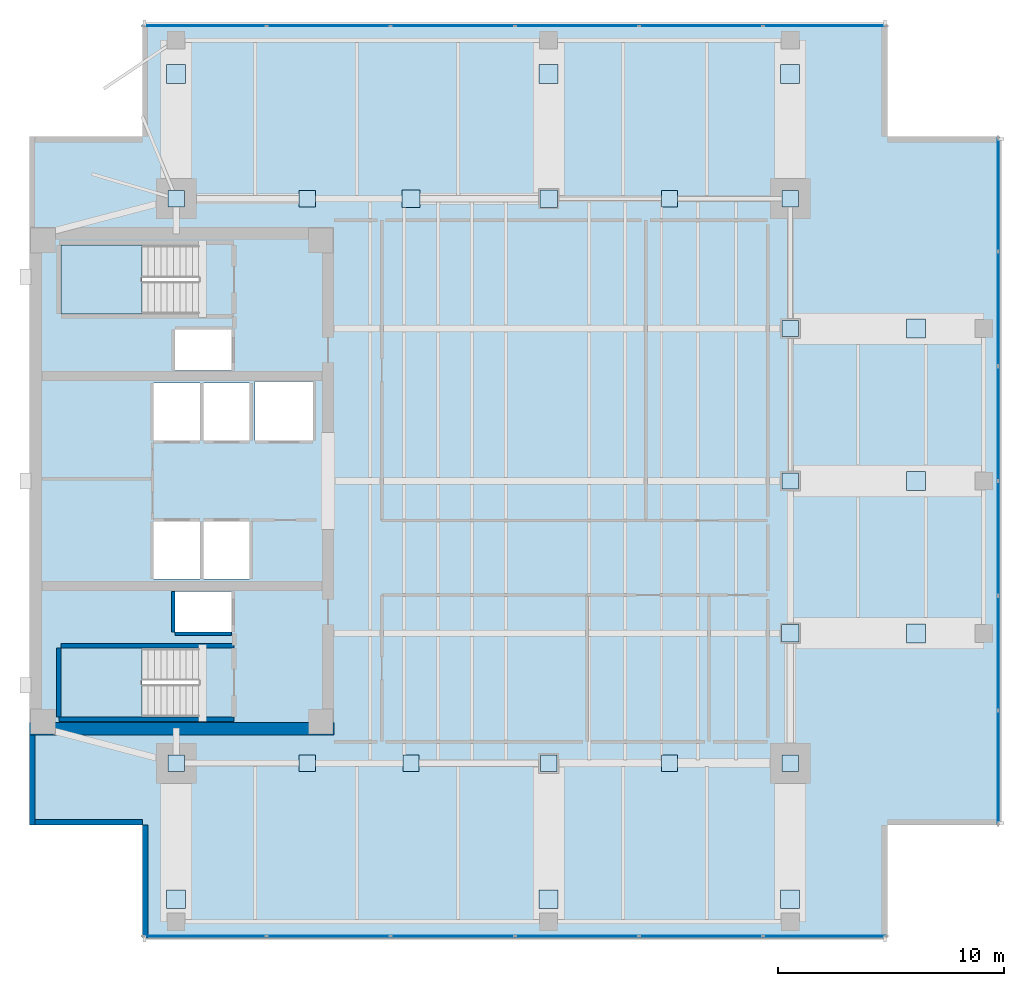
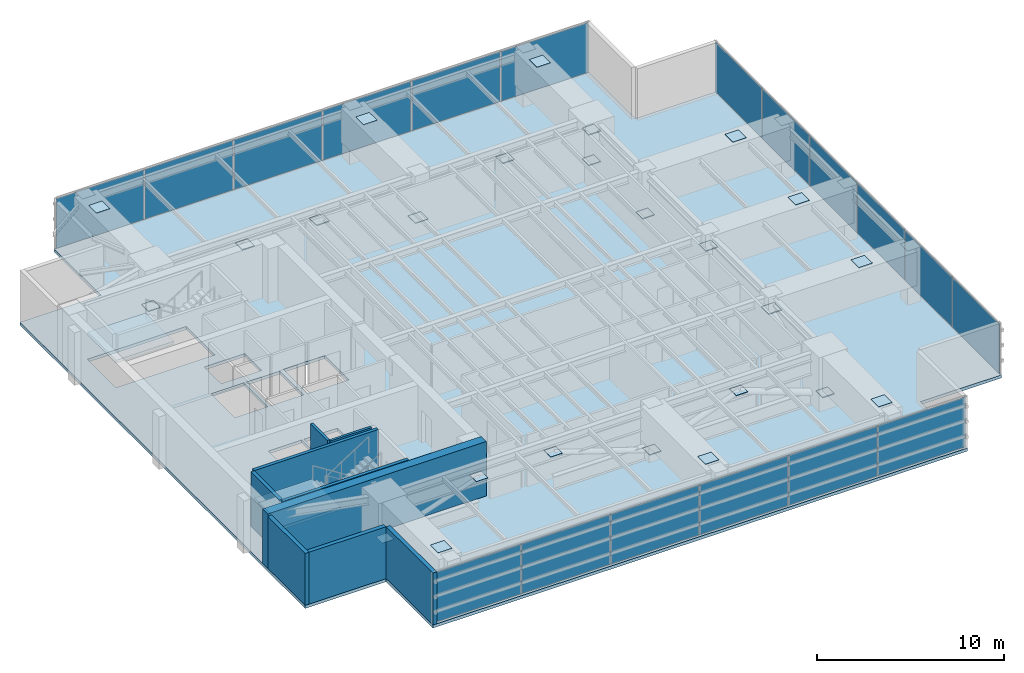
# One storey, part 7 of 13: 43 plates, 9 walls, 3 slabs, 5 elements without a shape of their own.
"""IFC4 building model written with IfcOpenShell, lengths in metres."""

from ifc_helpers import new_model, si_unit, direction, frame, frame_2d, origin, origin_2d, place, context, subcontext, project, spatial, polyline, rectangle, outline, extrude, material, layer, layer_set, type_object, element, aggregate, save


model = new_model("IFC4")

# Units and contexts
model_context = context("Model", 3, precision=1e-05, world=origin(), true_north=direction((0.0, 1.0)))
body_context = subcontext(model_context, "Body", "Model", "MODEL_VIEW")
ifc_project = project(units=[si_unit("LENGTHUNIT", "METRE"), si_unit("AREAUNIT", "SQUARE_METRE"), si_unit("VOLUMEUNIT", "CUBIC_METRE"), si_unit("PLANEANGLEUNIT", "RADIAN"), si_unit("MASSUNIT", "GRAM", prefix="KILO")], contexts=[model_context])

# Site, building, storey
site_placement = place(None, origin())
site = spatial("IfcSite", under=ifc_project, at=site_placement, CompositionType="ELEMENT")
building_placement = place(site_placement, origin())
building = spatial("IfcBuilding", under=site, at=building_placement, Name="Kinhvarn Gate Tower", CompositionType="ELEMENT")
storey_placement = place(building_placement, frame((0.0, 0.0, 241.300048828125)))
storey = spatial("IfcBuildingStorey", under=building, at=storey_placement, Name="L64", CompositionType="ELEMENT", Elevation=241.300048828125)

# Curtain wall, plates
ifc_material_1 = material(Name="Anodised aluminium AW-6063", Category="aluminium")
ifc_layer_1 = layer(ifc_material_1, 0.179931640625)
ifc_layer_set_1 = layer_set([ifc_layer_1], Name="Anodised aluminium AW-6063")
curtain_wall_type = type_object("IfcCurtainWallType", Name="CW-SYS-3", PredefinedType="NOTDEFINED", material=ifc_layer_set_1)
curtain_wall_1_placement = place(storey_placement, origin())
curtain_wall_1 = element("IfcCurtainWall", 1, at=curtain_wall_1_placement, inside=storey, type_object=curtain_wall_type, Name="Curtain Wall CW3 (L64)", PredefinedType="NOTDEFINED")
ifc_material_2 = material(Name="Fired architectural terracotta", Category="masonry")
ifc_layer_2 = layer(ifc_material_2, 0.0400390625)
ifc_layer_set_2 = layer_set([ifc_layer_2], Name="Fired architectural terracotta")
plate_type_1 = type_object("IfcPlateType", Name="CW-PNL-TER", PredefinedType="CURTAIN_PANEL", material=ifc_layer_set_2)
plate_1_placement = place(storey_placement, frame((12.266357421875, 5.090087890625, 0.070068359375), z_axis=(0.0, 0.0, 1.0), x_axis=(1.0, 0.0, 0.0)))
plate_1 = element("IfcPlate", 2, at=plate_1_placement, type_object=plate_type_1, Name="CW3 panel 1.1", PredefinedType="CURTAIN_PANEL", context=body_context, shape_type="SweptSolid", body=[
    extrude(rectangle(XDim=5.402587890625, YDim=0.0400390625, at=origin_2d()), origin(), (0.0, 0.0, 1.0), 3.25),
])
plate_2_placement = place(storey_placement, frame((17.75, 5.090087890625, 0.070068359375), z_axis=(0.0, 0.0, 1.0), x_axis=(1.0, 0.0, 0.0)))
plate_2 = element("IfcPlate", 3, at=plate_2_placement, type_object=plate_type_1, Name="CW3 panel 2.1", PredefinedType="CURTAIN_PANEL", context=body_context, shape_type="SweptSolid", body=[
    extrude(rectangle(XDim=5.43505859375, YDim=0.0400390625, at=origin_2d()), origin(), (0.0, 0.0, 1.0), 3.25),
])
plate_3_placement = place(storey_placement, frame((23.25, 5.090087890625, 0.070068359375), z_axis=(0.0, 0.0, 1.0), x_axis=(1.0, 0.0, 0.0)))
plate_3 = element("IfcPlate", 4, at=plate_3_placement, type_object=plate_type_1, Name="CW3 panel 3.1", PredefinedType="CURTAIN_PANEL", context=body_context, shape_type="SweptSolid", body=[
    extrude(rectangle(XDim=5.43505859375, YDim=0.0400390625, at=origin_2d()), origin(), (0.0, 0.0, 1.0), 3.25),
])
plate_4_placement = place(storey_placement, frame((28.75, 5.090087890625, 0.070068359375), z_axis=(0.0, 0.0, 1.0), x_axis=(1.0, 0.0, 0.0)))
plate_4 = element("IfcPlate", 5, at=plate_4_placement, type_object=plate_type_1, Name="CW3 panel 4.1", PredefinedType="CURTAIN_PANEL", context=body_context, shape_type="SweptSolid", body=[
    extrude(rectangle(XDim=5.43505859375, YDim=0.0400390625, at=origin_2d()), origin(), (0.0, 0.0, 1.0), 3.25),
])
plate_5_placement = place(storey_placement, frame((34.25, 5.090087890625, 0.070068359375), z_axis=(0.0, 0.0, 1.0), x_axis=(1.0, 0.0, 0.0)))
plate_5 = element("IfcPlate", 6, at=plate_5_placement, type_object=plate_type_1, Name="CW3 panel 5.1", PredefinedType="CURTAIN_PANEL", context=body_context, shape_type="SweptSolid", body=[
    extrude(rectangle(XDim=5.43505859375, YDim=0.0400390625, at=origin_2d()), origin(), (0.0, 0.0, 1.0), 3.25),
])
plate_6_placement = place(storey_placement, frame((39.733642578125, 5.090087890625, 0.070068359375), z_axis=(0.0, 0.0, 1.0), x_axis=(1.0, 0.0, 0.0)))
plate_6 = element("IfcPlate", 7, at=plate_6_placement, type_object=plate_type_1, Name="CW3 panel 6.1", PredefinedType="CURTAIN_PANEL", context=body_context, shape_type="SweptSolid", body=[
    extrude(rectangle(XDim=5.402587890625, YDim=0.0400390625, at=origin_2d()), origin(), (0.0, 0.0, 1.0), 3.25),
])
aggregate(curtain_wall_1, [plate_1, plate_2, plate_3, plate_4, plate_5, plate_6])

curtain_wall_2_placement = place(storey_placement, origin())
curtain_wall_2 = element("IfcCurtainWall", 8, at=curtain_wall_2_placement, inside=storey, type_object=curtain_wall_type, Name="Curtain Wall CW3 (L64)", PredefinedType="NOTDEFINED")
plate_7_placement = place(storey_placement, frame((39.733642578125, 45.409912109375, 0.070068359375), z_axis=(0.0, 0.0, 1.0), x_axis=(-1.0, 0.0, 0.0)))
plate_7 = element("IfcPlate", 9, at=plate_7_placement, type_object=plate_type_1, Name="CW3 panel 1.1", PredefinedType="CURTAIN_PANEL", context=body_context, shape_type="SweptSolid", body=[
    extrude(rectangle(XDim=5.402587890625, YDim=0.0400390625, at=origin_2d()), origin(), (0.0, 0.0, 1.0), 3.25),
])
plate_8_placement = place(storey_placement, frame((34.25, 45.409912109375, 0.070068359375), z_axis=(0.0, 0.0, 1.0), x_axis=(-1.0, 0.0, 0.0)))
plate_8 = element("IfcPlate", 10, at=plate_8_placement, type_object=plate_type_1, Name="CW3 panel 2.1", PredefinedType="CURTAIN_PANEL", context=body_context, shape_type="SweptSolid", body=[
    extrude(rectangle(XDim=5.43505859375, YDim=0.0400390625, at=origin_2d()), origin(), (0.0, 0.0, 1.0), 3.25),
])
plate_9_placement = place(storey_placement, frame((28.75, 45.409912109375, 0.070068359375), z_axis=(0.0, 0.0, 1.0), x_axis=(-1.0, 0.0, 0.0)))
plate_9 = element("IfcPlate", 11, at=plate_9_placement, type_object=plate_type_1, Name="CW3 panel 3.1", PredefinedType="CURTAIN_PANEL", context=body_context, shape_type="SweptSolid", body=[
    extrude(rectangle(XDim=5.43505859375, YDim=0.0400390625, at=origin_2d()), origin(), (0.0, 0.0, 1.0), 3.25),
])
plate_10_placement = place(storey_placement, frame((23.25, 45.409912109375, 0.070068359375), z_axis=(0.0, 0.0, 1.0), x_axis=(-1.0, 0.0, 0.0)))
plate_10 = element("IfcPlate", 12, at=plate_10_placement, type_object=plate_type_1, Name="CW3 panel 4.1", PredefinedType="CURTAIN_PANEL", context=body_context, shape_type="SweptSolid", body=[
    extrude(rectangle(XDim=5.43505859375, YDim=0.0400390625, at=origin_2d()), origin(), (0.0, 0.0, 1.0), 3.25),
])
plate_11_placement = place(storey_placement, frame((17.75, 45.409912109375, 0.070068359375), z_axis=(0.0, 0.0, 1.0), x_axis=(-1.0, 0.0, 0.0)))
plate_11 = element("IfcPlate", 13, at=plate_11_placement, type_object=plate_type_1, Name="CW3 panel 5.1", PredefinedType="CURTAIN_PANEL", context=body_context, shape_type="SweptSolid", body=[
    extrude(rectangle(XDim=5.43505859375, YDim=0.0400390625, at=origin_2d()), origin(), (0.0, 0.0, 1.0), 3.25),
])
plate_12_placement = place(storey_placement, frame((12.266357421875, 45.409912109375, 0.070068359375), z_axis=(0.0, 0.0, 1.0), x_axis=(-1.0, 0.0, 0.0)))
plate_12 = element("IfcPlate", 14, at=plate_12_placement, type_object=plate_type_1, Name="CW3 panel 6.1", PredefinedType="CURTAIN_PANEL", context=body_context, shape_type="SweptSolid", body=[
    extrude(rectangle(XDim=5.402587890625, YDim=0.0400390625, at=origin_2d()), origin(), (0.0, 0.0, 1.0), 3.25),
])
aggregate(curtain_wall_2, [plate_7, plate_8, plate_9, plate_10, plate_11, plate_12])

curtain_wall_3_placement = place(storey_placement, origin())
curtain_wall_3 = element("IfcCurtainWall", 15, at=curtain_wall_3_placement, inside=storey, type_object=curtain_wall_type, Name="Curtain Wall CW3 (L64)", PredefinedType="NOTDEFINED")
plate_13_placement = place(storey_placement, frame((47.409912109375, 12.557861328125, 0.070068359375), z_axis=(0.0, 0.0, 1.0), x_axis=(0.0, 1.0, 0.0)))
plate_13 = element("IfcPlate", 16, at=plate_13_placement, type_object=plate_type_1, Name="CW3 panel 1.1", PredefinedType="CURTAIN_PANEL", context=body_context, shape_type="SweptSolid", body=[
    extrude(rectangle(XDim=4.98583984375, YDim=0.0400390625, at=origin_2d()), origin(), (0.0, 0.0, 1.0), 3.25),
])
plate_14_placement = place(storey_placement, frame((47.409912109375, 17.625, 0.070068359375), z_axis=(0.0, 0.0, 1.0), x_axis=(0.0, 1.0, 0.0)))
plate_14 = element("IfcPlate", 17, at=plate_14_placement, type_object=plate_type_1, Name="CW3 panel 2.1", PredefinedType="CURTAIN_PANEL", context=body_context, shape_type="SweptSolid", body=[
    extrude(rectangle(XDim=5.018310546875, YDim=0.0400390625, at=origin_2d()), origin(), (0.0, 0.0, 1.0), 3.25),
])
plate_15_placement = place(storey_placement, frame((47.409912109375, 22.708251953125, 0.070068359375), z_axis=(0.0, 0.0, 1.0), x_axis=(0.0, 1.0, 0.0)))
plate_15 = element("IfcPlate", 18, at=plate_15_placement, type_object=plate_type_1, Name="CW3 panel 3.1", PredefinedType="CURTAIN_PANEL", context=body_context, shape_type="SweptSolid", body=[
    extrude(rectangle(XDim=5.018310546875, YDim=0.0400390625, at=origin_2d()), origin(), (0.0, 0.0, 1.0), 3.25),
])
plate_16_placement = place(storey_placement, frame((47.409912109375, 27.791748046875, 0.070068359375), z_axis=(0.0, 0.0, 1.0), x_axis=(0.0, 1.0, 0.0)))
plate_16 = element("IfcPlate", 19, at=plate_16_placement, type_object=plate_type_1, Name="CW3 panel 4.1", PredefinedType="CURTAIN_PANEL", context=body_context, shape_type="SweptSolid", body=[
    extrude(rectangle(XDim=5.018310546875, YDim=0.0400390625, at=origin_2d()), origin(), (0.0, 0.0, 1.0), 3.25),
])
plate_17_placement = place(storey_placement, frame((47.409912109375, 32.875, 0.070068359375), z_axis=(0.0, 0.0, 1.0), x_axis=(0.0, 1.0, 0.0)))
plate_17 = element("IfcPlate", 20, at=plate_17_placement, type_object=plate_type_1, Name="CW3 panel 5.1", PredefinedType="CURTAIN_PANEL", context=body_context, shape_type="SweptSolid", body=[
    extrude(rectangle(XDim=5.018310546875, YDim=0.0400390625, at=origin_2d()), origin(), (0.0, 0.0, 1.0), 3.25),
])
plate_18_placement = place(storey_placement, frame((47.409912109375, 37.942138671875, 0.070068359375), z_axis=(0.0, 0.0, 1.0), x_axis=(0.0, 1.0, 0.0)))
plate_18 = element("IfcPlate", 21, at=plate_18_placement, type_object=plate_type_1, Name="CW3 panel 6.1", PredefinedType="CURTAIN_PANEL", context=body_context, shape_type="SweptSolid", body=[
    extrude(rectangle(XDim=4.98583984375, YDim=0.0400390625, at=origin_2d()), origin(), (0.0, 0.0, 1.0), 3.25),
])
aggregate(curtain_wall_3, [plate_13, plate_14, plate_15, plate_16, plate_17, plate_18])

# Plates
ifc_material_3 = material(Name="Steel S355", Category="steel")
ifc_layer_3 = layer(ifc_material_3, 0.030029296875)
ifc_layer_set_3 = layer_set([ifc_layer_3], Name="Steel S355")
plate_type_2 = type_object("IfcPlateType", Name="PLT-NODE-KN2", PredefinedType="USERDEFINED", material=ifc_layer_set_3)
plate_19_placement = place(storey_placement, frame((0.0, 0.0, 2.425048828125)))
element("IfcPlate", 22, at=plate_19_placement, inside=storey, type_object=plate_type_2, Name="Structural Node Cap Plate KN2", ObjectType="GUSSET_PLATE", PredefinedType="USERDEFINED", context=body_context, shape_type="SweptSolid", body=[
    extrude(outline(polyline([(16.43994140625, 12.389892578125), (17.159912109375, 12.389892578125), (17.159912109375, 13.110107421875), (16.43994140625, 13.110107421875), (16.43994140625, 12.389892578125)])), origin(), (0.0, 0.0, 1.0), 0.02978515625),
])
plate_20_placement = place(storey_placement, frame((0.0, 0.0, 2.425048828125)))
element("IfcPlate", 23, at=plate_20_placement, inside=storey, type_object=plate_type_2, Name="Structural Node Cap Plate KN2", ObjectType="GUSSET_PLATE", PredefinedType="USERDEFINED", context=body_context, shape_type="SweptSolid", body=[
    extrude(outline(polyline([(21.0400390625, 12.389892578125), (21.760009765625, 12.389892578125), (21.760009765625, 13.110107421875), (21.0400390625, 13.110107421875), (21.0400390625, 12.389892578125)])), origin(), (0.0, 0.0, 1.0), 0.02978515625),
])
plate_21_placement = place(storey_placement, frame((0.0, 0.0, 0.43505859375)))
element("IfcPlate", 24, at=plate_21_placement, inside=storey, type_object=plate_type_2, Name="Structural Node Cap Plate KN2", ObjectType="GUSSET_PLATE", PredefinedType="USERDEFINED", context=body_context, shape_type="SweptSolid", body=[
    extrude(outline(polyline([(27.139892578125, 12.389892578125), (27.860107421875, 12.389892578125), (27.860107421875, 13.110107421875), (27.139892578125, 13.110107421875), (27.139892578125, 12.389892578125)])), origin(), (0.0, 0.0, 1.0), 0.02978515625),
])
plate_22_placement = place(storey_placement, frame((0.0, 0.0, 2.425048828125)))
element("IfcPlate", 25, at=plate_22_placement, inside=storey, type_object=plate_type_2, Name="Structural Node Cap Plate KN2", ObjectType="GUSSET_PLATE", PredefinedType="USERDEFINED", context=body_context, shape_type="SweptSolid", body=[
    extrude(outline(polyline([(32.489990234375, 12.389892578125), (33.2099609375, 12.389892578125), (33.2099609375, 13.110107421875), (32.489990234375, 13.110107421875), (32.489990234375, 12.389892578125)])), origin(), (0.0, 0.0, 1.0), 0.02978515625),
])
plate_23_placement = place(storey_placement, frame((0.0, 0.0, 2.425048828125)))
element("IfcPlate", 26, at=plate_23_placement, inside=storey, type_object=plate_type_2, Name="Structural Node Cap Plate KN2", ObjectType="GUSSET_PLATE", PredefinedType="USERDEFINED", context=body_context, shape_type="SweptSolid", body=[
    extrude(outline(polyline([(16.431396484375, 37.381591796875), (17.16845703125, 37.381591796875), (17.16845703125, 38.118408203125), (16.431396484375, 38.118408203125), (16.431396484375, 37.381591796875)])), origin(), (0.0, 0.0, 1.0), 0.02978515625),
])
plate_24_placement = place(storey_placement, frame((0.0, 0.0, 2.425048828125)))
element("IfcPlate", 27, at=plate_24_placement, inside=storey, type_object=plate_type_2, Name="Structural Node Cap Plate KN2", ObjectType="GUSSET_PLATE", PredefinedType="USERDEFINED", context=body_context, shape_type="SweptSolid", body=[
    extrude(outline(polyline([(21.006103515625, 37.35595703125), (21.7939453125, 37.35595703125), (21.7939453125, 38.14404296875), (21.006103515625, 38.14404296875), (21.006103515625, 37.35595703125)])), origin(), (0.0, 0.0, 1.0), 0.02978515625),
])
plate_25_placement = place(storey_placement, frame((0.0, 0.0, 0.43505859375)))
element("IfcPlate", 28, at=plate_25_placement, inside=storey, type_object=plate_type_2, Name="Structural Node Cap Plate KN2", ObjectType="GUSSET_PLATE", PredefinedType="USERDEFINED", context=body_context, shape_type="SweptSolid", body=[
    extrude(outline(polyline([(27.10595703125, 37.35595703125), (27.89404296875, 37.35595703125), (27.89404296875, 38.14404296875), (27.10595703125, 38.14404296875), (27.10595703125, 37.35595703125)])), origin(), (0.0, 0.0, 1.0), 0.02978515625),
])
plate_26_placement = place(storey_placement, frame((0.0, 0.0, 2.425048828125)))
element("IfcPlate", 29, at=plate_26_placement, inside=storey, type_object=plate_type_2, Name="Structural Node Cap Plate KN2", ObjectType="GUSSET_PLATE", PredefinedType="USERDEFINED", context=body_context, shape_type="SweptSolid", body=[
    extrude(outline(polyline([(32.489990234375, 37.389892578125), (33.2099609375, 37.389892578125), (33.2099609375, 38.110107421875), (32.489990234375, 38.110107421875), (32.489990234375, 37.389892578125)])), origin(), (0.0, 0.0, 1.0), 0.02978515625),
])
plate_27_placement = place(storey_placement, frame((0.0, 0.0, 2.425048828125)))
element("IfcPlate", 30, at=plate_27_placement, inside=storey, type_object=plate_type_2, Name="Structural Node Cap Plate KN2", ObjectType="GUSSET_PLATE", PredefinedType="USERDEFINED", context=body_context, shape_type="SweptSolid", body=[
    extrude(outline(polyline([(37.805908203125, 18.10595703125), (38.593994140625, 18.10595703125), (38.593994140625, 18.89404296875), (37.805908203125, 18.89404296875), (37.805908203125, 18.10595703125)])), origin(), (0.0, 0.0, 1.0), 0.02978515625),
])
plate_28_placement = place(storey_placement, frame((0.0, 0.0, 2.425048828125)))
element("IfcPlate", 31, at=plate_28_placement, inside=storey, type_object=plate_type_2, Name="Structural Node Cap Plate KN2", ObjectType="GUSSET_PLATE", PredefinedType="USERDEFINED", context=body_context, shape_type="SweptSolid", body=[
    extrude(outline(polyline([(37.840087890625, 24.889892578125), (38.56005859375, 24.889892578125), (38.56005859375, 25.610107421875), (37.840087890625, 25.610107421875), (37.840087890625, 24.889892578125)])), origin(), (0.0, 0.0, 1.0), 0.02978515625),
])
plate_29_placement = place(storey_placement, frame((0.0, 0.0, 0.43505859375)))
element("IfcPlate", 32, at=plate_29_placement, inside=storey, type_object=plate_type_2, Name="Structural Node Cap Plate KN2", ObjectType="GUSSET_PLATE", PredefinedType="USERDEFINED", context=body_context, shape_type="SweptSolid", body=[
    extrude(outline(polyline([(37.840087890625, 31.639892578125), (38.56005859375, 31.639892578125), (38.56005859375, 32.360107421875), (37.840087890625, 32.360107421875), (37.840087890625, 31.639892578125)])), origin(), (0.0, 0.0, 1.0), 0.02978515625),
])
plate_30_placement = place(storey_placement, frame((0.0, 0.0, 2.425048828125)))
element("IfcPlate", 33, at=plate_30_placement, inside=storey, type_object=plate_type_2, Name="Structural Node Cap Plate KN2", ObjectType="GUSSET_PLATE", PredefinedType="USERDEFINED", context=body_context, shape_type="SweptSolid", body=[
    extrude(outline(polyline([(37.840087890625, 37.389892578125), (38.56005859375, 37.389892578125), (38.56005859375, 38.110107421875), (37.840087890625, 38.110107421875), (37.840087890625, 37.389892578125)])), origin(), (0.0, 0.0, 1.0), 0.02978515625),
])
ifc_layer_4 = layer(ifc_material_3, 0.02392578125)
ifc_layer_set_4 = layer_set([ifc_layer_4], Name="Steel S355")
plate_type_3 = type_object("IfcPlateType", Name="PLT-NODE-ON3", PredefinedType="USERDEFINED", material=ifc_layer_set_4)
plate_31_placement = place(storey_placement, frame((0.0, 0.0, 0.43798828125)))
element("IfcPlate", 34, at=plate_31_placement, inside=storey, type_object=plate_type_3, Name="Structural Node Cap Plate ON3", ObjectType="GUSSET_PLATE", PredefinedType="USERDEFINED", context=body_context, shape_type="SweptSolid", body=[
    extrude(outline(polyline([(10.639892578125, 12.389892578125), (11.360107421875, 12.389892578125), (11.360107421875, 13.110107421875), (10.639892578125, 13.110107421875), (10.639892578125, 12.389892578125)])), origin(), (0.0, 0.0, 1.0), 0.02392578125),
])
plate_32_placement = place(storey_placement, frame((0.0, 0.0, 0.43798828125)))
element("IfcPlate", 35, at=plate_32_placement, inside=storey, type_object=plate_type_3, Name="Structural Node Cap Plate ON3", ObjectType="GUSSET_PLATE", PredefinedType="USERDEFINED", context=body_context, shape_type="SweptSolid", body=[
    extrude(outline(polyline([(10.631591796875, 37.381591796875), (11.368408203125, 37.381591796875), (11.368408203125, 38.118408203125), (10.631591796875, 38.118408203125), (10.631591796875, 37.381591796875)])), origin(), (0.0, 0.0, 1.0), 0.02392578125),
])
ifc_layer_5 = layer(ifc_material_3, 0.02587890625)
ifc_layer_set_5 = layer_set([ifc_layer_5], Name="Steel S355")
plate_type_4 = type_object("IfcPlateType", Name="PLT-NODE-ON4", PredefinedType="USERDEFINED", material=ifc_layer_set_5)
plate_33_placement = place(storey_placement, frame((0.0, 0.0, 0.43701171875)))
element("IfcPlate", 36, at=plate_33_placement, inside=storey, type_object=plate_type_4, Name="Structural Node Cap Plate ON4", ObjectType="GUSSET_PLATE", PredefinedType="USERDEFINED", context=body_context, shape_type="SweptSolid", body=[
    extrude(outline(polyline([(37.840087890625, 12.389892578125), (38.56005859375, 12.389892578125), (38.56005859375, 13.110107421875), (37.840087890625, 13.110107421875), (37.840087890625, 12.389892578125)])), origin(), (0.0, 0.0, 1.0), 0.02587890625),
])
plate_34_placement = place(storey_placement, frame((0.0, 0.0, 0.43701171875)))
element("IfcPlate", 37, at=plate_34_placement, inside=storey, type_object=plate_type_4, Name="Structural Node Cap Plate ON4", ObjectType="GUSSET_PLATE", PredefinedType="USERDEFINED", context=body_context, shape_type="SweptSolid", body=[
    extrude(outline(polyline([(37.840087890625, 37.389892578125), (38.56005859375, 37.389892578125), (38.56005859375, 38.110107421875), (37.840087890625, 38.110107421875), (37.840087890625, 37.389892578125)])), origin(), (0.0, 0.0, 1.0), 0.02587890625),
])
ifc_layer_6 = layer(ifc_material_3, 0.031982421875)
ifc_layer_set_6 = layer_set([ifc_layer_6], Name="Steel S355")
plate_type_5 = type_object("IfcPlateType", Name="PLT-NODE-TN3", PredefinedType="USERDEFINED", material=ifc_layer_set_6)
plate_35_placement = place(storey_placement, frame((0.0, 0.0, 3.52392578125)))
element("IfcPlate", 38, at=plate_35_placement, inside=storey, type_object=plate_type_5, Name="Structural Node Cap Plate TN3", ObjectType="GUSSET_PLATE", PredefinedType="USERDEFINED", context=body_context, shape_type="SweptSolid", body=[
    extrude(outline(polyline([(43.360107421875, 18.080078125), (44.199951171875, 18.080078125), (44.199951171875, 18.919921875), (43.360107421875, 18.919921875), (43.360107421875, 18.080078125)])), origin(), (0.0, 0.0, 1.0), 0.031982421875),
])
plate_36_placement = place(storey_placement, frame((0.0, 0.0, 3.52392578125)))
element("IfcPlate", 39, at=plate_36_placement, inside=storey, type_object=plate_type_5, Name="Structural Node Cap Plate TN3", ObjectType="GUSSET_PLATE", PredefinedType="USERDEFINED", context=body_context, shape_type="SweptSolid", body=[
    extrude(outline(polyline([(43.360107421875, 24.830078125), (44.199951171875, 24.830078125), (44.199951171875, 25.669921875), (43.360107421875, 25.669921875), (43.360107421875, 24.830078125)])), origin(), (0.0, 0.0, 1.0), 0.031982421875),
])
plate_37_placement = place(storey_placement, frame((0.0, 0.0, 3.52392578125)))
element("IfcPlate", 40, at=plate_37_placement, inside=storey, type_object=plate_type_5, Name="Structural Node Cap Plate TN3", ObjectType="GUSSET_PLATE", PredefinedType="USERDEFINED", context=body_context, shape_type="SweptSolid", body=[
    extrude(outline(polyline([(43.360107421875, 31.580078125), (44.199951171875, 31.580078125), (44.199951171875, 32.419921875), (43.360107421875, 32.419921875), (43.360107421875, 31.580078125)])), origin(), (0.0, 0.0, 1.0), 0.031982421875),
])
plate_38_placement = place(storey_placement, frame((0.0, 0.0, 3.52392578125)))
element("IfcPlate", 41, at=plate_38_placement, inside=storey, type_object=plate_type_5, Name="Structural Node Cap Plate TN3", ObjectType="GUSSET_PLATE", PredefinedType="USERDEFINED", context=body_context, shape_type="SweptSolid", body=[
    extrude(outline(polyline([(10.580078125, 6.300048828125), (11.419921875, 6.300048828125), (11.419921875, 7.139892578125), (10.580078125, 7.139892578125), (10.580078125, 6.300048828125)])), origin(), (0.0, 0.0, 1.0), 0.031982421875),
])
plate_39_placement = place(storey_placement, frame((0.0, 0.0, 3.52392578125)))
element("IfcPlate", 42, at=plate_39_placement, inside=storey, type_object=plate_type_5, Name="Structural Node Cap Plate TN3", ObjectType="GUSSET_PLATE", PredefinedType="USERDEFINED", context=body_context, shape_type="SweptSolid", body=[
    extrude(outline(polyline([(27.080078125, 6.300048828125), (27.919921875, 6.300048828125), (27.919921875, 7.139892578125), (27.080078125, 7.139892578125), (27.080078125, 6.300048828125)])), origin(), (0.0, 0.0, 1.0), 0.031982421875),
])
plate_40_placement = place(storey_placement, frame((0.0, 0.0, 3.52392578125)))
element("IfcPlate", 43, at=plate_40_placement, inside=storey, type_object=plate_type_5, Name="Structural Node Cap Plate TN3", ObjectType="GUSSET_PLATE", PredefinedType="USERDEFINED", context=body_context, shape_type="SweptSolid", body=[
    extrude(outline(polyline([(37.780029296875, 6.300048828125), (38.6201171875, 6.300048828125), (38.6201171875, 7.139892578125), (37.780029296875, 7.139892578125), (37.780029296875, 6.300048828125)])), origin(), (0.0, 0.0, 1.0), 0.031982421875),
])
plate_41_placement = place(storey_placement, frame((0.0, 0.0, 3.52392578125)))
element("IfcPlate", 44, at=plate_41_placement, inside=storey, type_object=plate_type_5, Name="Structural Node Cap Plate TN3", ObjectType="GUSSET_PLATE", PredefinedType="USERDEFINED", context=body_context, shape_type="SweptSolid", body=[
    extrude(outline(polyline([(10.580078125, 42.860107421875), (11.419921875, 42.860107421875), (11.419921875, 43.699951171875), (10.580078125, 43.699951171875), (10.580078125, 42.860107421875)])), origin(), (0.0, 0.0, 1.0), 0.031982421875),
])
plate_42_placement = place(storey_placement, frame((0.0, 0.0, 3.52392578125)))
element("IfcPlate", 45, at=plate_42_placement, inside=storey, type_object=plate_type_5, Name="Structural Node Cap Plate TN3", ObjectType="GUSSET_PLATE", PredefinedType="USERDEFINED", context=body_context, shape_type="SweptSolid", body=[
    extrude(outline(polyline([(27.080078125, 42.860107421875), (27.919921875, 42.860107421875), (27.919921875, 43.699951171875), (27.080078125, 43.699951171875), (27.080078125, 42.860107421875)])), origin(), (0.0, 0.0, 1.0), 0.031982421875),
])
plate_43_placement = place(storey_placement, frame((0.0, 0.0, 3.52392578125)))
element("IfcPlate", 46, at=plate_43_placement, inside=storey, type_object=plate_type_5, Name="Structural Node Cap Plate TN3", ObjectType="GUSSET_PLATE", PredefinedType="USERDEFINED", context=body_context, shape_type="SweptSolid", body=[
    extrude(outline(polyline([(37.780029296875, 42.860107421875), (38.6201171875, 42.860107421875), (38.6201171875, 43.699951171875), (37.780029296875, 43.699951171875), (37.780029296875, 42.860107421875)])), origin(), (0.0, 0.0, 1.0), 0.031982421875),
])

# Slab
ifc_material_4 = material(Name="Concrete C50/60", Category="concrete")
ifc_layer_7 = layer(ifc_material_4, 0.199951171875)
ifc_layer_set_7 = layer_set([ifc_layer_7], Name="Concrete C50/60")
slab_type_1 = type_object("IfcSlabType", Name="SLB-REF-200", PredefinedType="FLOOR", material=ifc_layer_set_7)
slab_1_placement = place(storey_placement, frame((0.0, 0.0, -0.199951171875)))
element("IfcSlab", 47, at=slab_1_placement, inside=storey, type_object=slab_type_1, Name="Suspended Floor Slab L64", PredefinedType="FLOOR", context=body_context, shape_type="SweptSolid", body=[
    extrude(outline(polyline([(9.5, 5.0), (42.5, 5.0), (42.5, 10.0), (47.5, 10.0), (47.5, 40.5), (42.5, 40.5), (42.5, 45.5), (9.5, 45.5), (9.5, 40.5), (4.5, 40.5), (4.5, 10.0), (9.5, 10.0), (9.5, 5.0)]), holes=[polyline([(5.89990234375, 14.800048828125), (12.0, 14.800048828125), (12.0, 17.85009765625), (5.89990234375, 17.85009765625), (5.89990234375, 14.800048828125)]), polyline([(5.89990234375, 32.64990234375), (12.0, 32.64990234375), (12.0, 35.699951171875), (5.89990234375, 35.699951171875), (5.89990234375, 32.64990234375)]), polyline([(10.0, 20.89990234375), (12.050048828125, 20.89990234375), (12.050048828125, 23.449951171875), (10.0, 23.449951171875), (10.0, 20.89990234375)]), polyline([(12.199951171875, 20.89990234375), (14.25, 20.89990234375), (14.25, 23.449951171875), (12.199951171875, 23.449951171875), (12.199951171875, 20.89990234375)]), polyline([(10.0, 27.050048828125), (12.050048828125, 27.050048828125), (12.050048828125, 29.60009765625), (10.0, 29.60009765625), (10.0, 27.050048828125)]), polyline([(12.199951171875, 27.050048828125), (14.25, 27.050048828125), (14.25, 29.60009765625), (12.199951171875, 29.60009765625), (12.199951171875, 27.050048828125)]), polyline([(14.5, 27.050048828125), (17.050048828125, 27.050048828125), (17.050048828125, 29.64990234375), (14.5, 29.64990234375), (14.5, 27.050048828125)]), polyline([(10.949951171875, 18.550048828125), (13.449951171875, 18.550048828125), (13.449951171875, 20.35009765625), (10.949951171875, 20.35009765625), (10.949951171875, 18.550048828125)]), polyline([(10.949951171875, 30.14990234375), (13.449951171875, 30.14990234375), (13.449951171875, 31.949951171875), (10.949951171875, 31.949951171875), (10.949951171875, 30.14990234375)])]), origin(), (0.0, 0.0, 1.0), 0.199951171875),
])

# Stair, slab
ifc_material_5 = material(Name="Concrete C40/50", Category="concrete")
stair_type = type_object("IfcStairType", Name="STR-DLG-177", PredefinedType="HALF_TURN_STAIR", material=ifc_material_5)
stair_1_placement = place(storey_placement, origin())
stair_1 = element("IfcStair", 48, at=stair_1_placement, inside=storey, type_object=stair_type, Name="L64 Core Smokeproof Exit Stair ST1", PredefinedType="HALF_TURN_STAIR")
ifc_layer_8 = layer(ifc_material_5, 0.199951171875)
ifc_layer_set_8 = layer_set([ifc_layer_8], Name="Concrete C40/50")
slab_type_2 = type_object("IfcSlabType", Name="SLB-ST-LND", PredefinedType="LANDING", material=ifc_layer_set_8)
slab_2_placement = place(storey_placement, frame((0.0, 0.0, 1.574951171875)))
slab_2 = element("IfcSlab", 49, at=slab_2_placement, type_object=slab_type_2, Name="ST1 landing 1", PredefinedType="LANDING", context=body_context, shape_type="SweptSolid", body=[
    extrude(outline(polyline([(9.47998046875, 17.85009765625), (5.89990234375, 17.85009765625), (5.89990234375, 14.800048828125), (9.47998046875, 14.800048828125), (9.47998046875, 17.85009765625)])), origin(), (0.0, 0.0, 1.0), 0.199951171875),
])
aggregate(stair_1, [slab_2])

stair_2_placement = place(storey_placement, origin())
stair_2 = element("IfcStair", 50, at=stair_2_placement, inside=storey, type_object=stair_type, Name="L64 Core Smokeproof Exit Stair ST2", PredefinedType="HALF_TURN_STAIR")
slab_3_placement = place(storey_placement, frame((0.0, 0.0, 1.574951171875)))
slab_3 = element("IfcSlab", 51, at=slab_3_placement, type_object=slab_type_2, Name="ST2 landing 1", PredefinedType="LANDING", context=body_context, shape_type="SweptSolid", body=[
    extrude(outline(polyline([(9.47998046875, 35.699951171875), (5.89990234375, 35.699951171875), (5.89990234375, 32.64990234375), (9.47998046875, 32.64990234375), (9.47998046875, 35.699951171875)])), origin(), (0.0, 0.0, 1.0), 0.199951171875),
])
aggregate(stair_2, [slab_3])

# Walls
ifc_material_6 = material(Name="Concrete C60/75", Category="concrete")
ifc_layer_9 = layer(ifc_material_6, 0.550048828125)
ifc_layer_set_9 = layer_set([ifc_layer_9], Name="Concrete C60/75")
wall_type_1 = type_object("IfcWallType", Name="WL-CORE-550", PredefinedType="SHEAR", material=ifc_layer_set_9)
wall_1_placement = place(storey_placement, frame((4.5, 14.27490234375, 0.0), z_axis=(0.0, 0.0, 1.0), x_axis=(1.0, 0.0, 0.0)))
element("IfcWall", 52, at=wall_1_placement, inside=storey, type_object=wall_type_1, Name="Core South Shear Wall L64 550 mm", PredefinedType="SHEAR", context=body_context, shape_type="SweptSolid", body=[
    extrude(rectangle(XDim=13.5, YDim=0.550048828125, at=frame_2d((6.75, 0.0))), origin(), (0.0, 0.0, 1.0), 3.550048828125),
])
ifc_layer_10 = layer(ifc_material_2, 0.25)
ifc_layer_set_10 = layer_set([ifc_layer_10], Name="Fired architectural terracotta")
wall_type_2 = type_object("IfcWallType", Name="WL-EXT-250", PredefinedType="SOLIDWALL", material=ifc_layer_set_10)
wall_2_placement = place(storey_placement, frame((4.625, 14.0, 0.0), z_axis=(0.0, 0.0, 1.0), x_axis=(0.0, -1.0, 0.0)))
element("IfcWall", 53, at=wall_2_placement, inside=storey, type_object=wall_type_2, Name="Exterior Solidwall Wall EW-250 (L64 West-South)", PredefinedType="SOLIDWALL", context=body_context, shape_type="SweptSolid", body=[
    extrude(rectangle(XDim=4.0, YDim=0.25, at=frame_2d((2.0, 0.0))), origin(), (0.0, 0.0, 1.0), 3.389892578125),
])
for number, where, z_axis, x_axis, name in (
    (54, (4.5, 10.125, 0.0), (0.0, 0.0, 1.0), (1.0, 0.0, 0.0), "Exterior Solidwall Wall EW-250 (L64 SW-Notch-1)"),
    (55, (9.625, 10.0, 0.0), (0.0, 0.0, 1.0), (0.0, -1.0, 0.0), "Exterior Solidwall Wall EW-250 (L64 SW-Notch-2)"),
):
    element("IfcWall", number, at=place(storey_placement, frame(where, z_axis=z_axis, x_axis=x_axis)), inside=storey, type_object=wall_type_2, Name=name, PredefinedType="SOLIDWALL", context=body_context, shape_type="SweptSolid", body=[
        extrude(rectangle(XDim=5.0, YDim=0.25, at=frame_2d((2.5, 0.0))), origin(), (0.0, 0.0, 1.0), 3.389892578125),
    ])
ifc_material_7 = material(Name="Gypsum acoustic partition board")
ifc_layer_11 = layer(ifc_material_7, 0.14990234375)
ifc_layer_set_11 = layer_set([ifc_layer_11], Name="Gypsum acoustic partition board")
wall_type_3 = type_object("IfcWallType", Name="WL-SHF-150", PredefinedType="PARTITIONING", material=ifc_layer_set_11)
wall_3_placement = place(storey_placement, frame((10.949951171875, 18.47509765625, 0.0), z_axis=(0.0, 0.0, 1.0), x_axis=(1.0, 0.0, 0.0)))
element("IfcWall", 56, at=wall_3_placement, inside=storey, type_object=wall_type_3, Name="Elevator FF1 Hoistway Wall S (L64)", PredefinedType="PARTITIONING", context=body_context, shape_type="SweptSolid", body=[
    extrude(rectangle(XDim=2.5, YDim=0.14990234375, at=frame_2d((1.25, 0.0))), origin(), (0.0, 0.0, 1.0), 3.389892578125),
])
wall_4_placement = place(storey_placement, frame((10.875, 18.550048828125, 0.0), z_axis=(0.0, 0.0, 1.0), x_axis=(0.0, 1.0, 0.0)))
element("IfcWall", 57, at=wall_4_placement, inside=storey, type_object=wall_type_3, Name="Elevator FF1 Hoistway Wall W (L64)", PredefinedType="PARTITIONING", context=body_context, shape_type="SweptSolid", body=[
    extrude(rectangle(XDim=1.800048828125, YDim=0.14990234375, at=frame_2d((0.89990234375, 0.0))), origin(), (0.0, 0.0, 1.0), 3.389892578125),
])
ifc_layer_12 = layer(ifc_material_5, 0.199951171875)
ifc_layer_set_12 = layer_set([ifc_layer_12], Name="Concrete C40/50")
wall_type_4 = type_object("IfcWallType", Name="WL-SHF-200", PredefinedType="SOLIDWALL", material=ifc_layer_set_12)
wall_5_placement = place(storey_placement, frame((5.800048828125, 14.699951171875, 0.0), z_axis=(0.0, 0.0, 1.0), x_axis=(1.0, 0.0, 0.0)))
element("IfcWall", 58, at=wall_5_placement, inside=storey, type_object=wall_type_4, Name="Stair ST1 South Shaft Wall (L64)", PredefinedType="SOLIDWALL", context=body_context, shape_type="SweptSolid", body=[
    extrude(rectangle(XDim=7.75, YDim=0.199951171875, at=frame_2d((3.875, 0.0))), origin(), (0.0, 0.0, 1.0), 3.550048828125),
])
wall_6_placement = place(storey_placement, frame((5.7900390625, 14.800048828125, 0.0), z_axis=(0.0, 0.0, 1.0), x_axis=(0.0, 1.0, 0.0)))
element("IfcWall", 59, at=wall_6_placement, inside=storey, type_object=wall_type_4, Name="Stair ST1 West Shaft Wall (L64)", PredefinedType="SOLIDWALL", context=body_context, shape_type="SweptSolid", body=[
    extrude(rectangle(XDim=3.050048828125, YDim=0.199951171875, at=frame_2d((1.52490234375, 0.0))), origin(), (0.0, 0.0, 1.0), 3.550048828125),
])
wall_7_placement = place(storey_placement, frame((5.89990234375, 17.9599609375, 0.0), z_axis=(0.0, 0.0, 1.0), x_axis=(1.0, 0.0, 0.0)))
element("IfcWall", 60, at=wall_7_placement, inside=storey, type_object=wall_type_4, Name="Stair ST1 North Shaft Wall (L64)", PredefinedType="SOLIDWALL", context=body_context, shape_type="SweptSolid", body=[
    extrude(rectangle(XDim=7.66015625, YDim=0.199951171875, at=frame_2d((3.830078125, 0.0))), origin(), (0.0, 0.0, 1.0), 3.550048828125),
])

save(model, "model.ifc")
